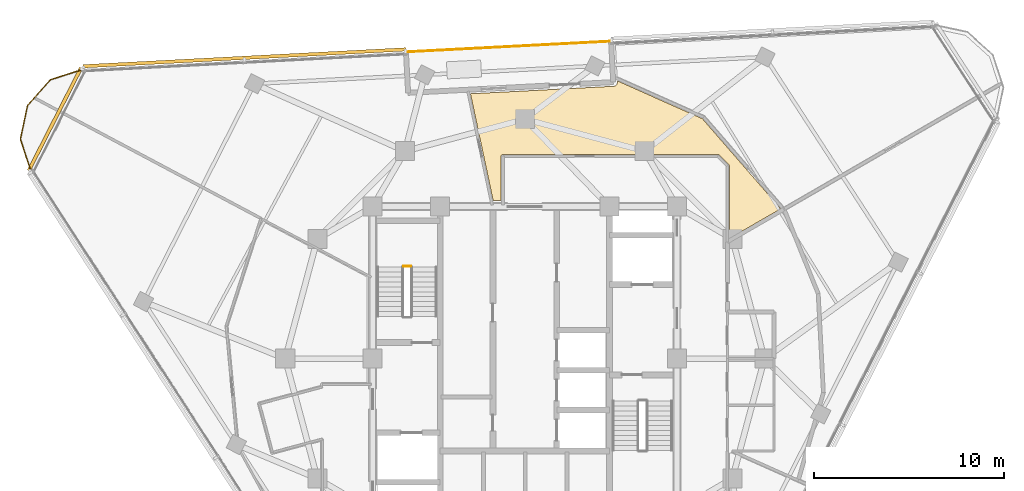
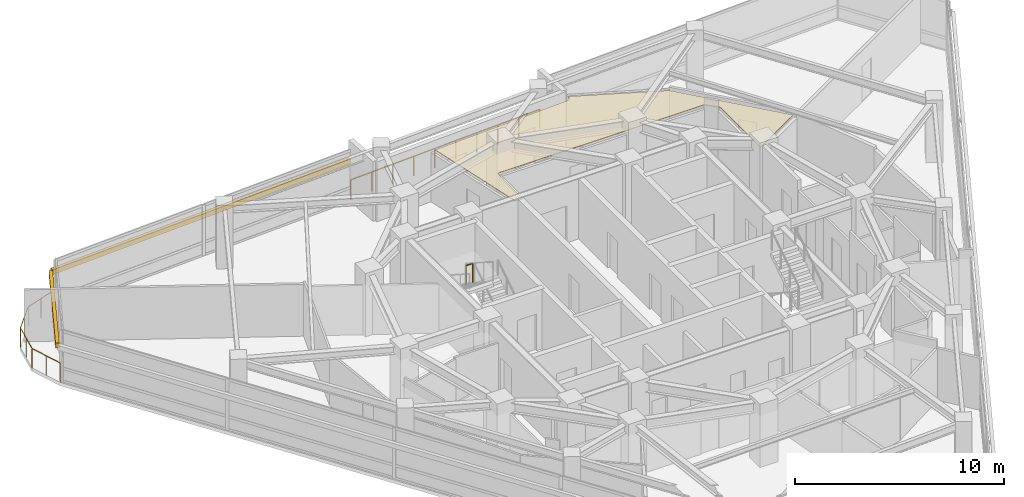
# One storey, part 14 of 15: 3 railings, 2 shading devices, 1 covering.
"""IFC4 building model written with IfcOpenShell, lengths in metres."""

from ifc_helpers import new_model, si_unit, direction, frame, origin, origin_2d, place, context, subcontext, project, spatial, polyline, rectangle, circle, outline, extrude, material, layer, layer_set, type_object, element, save


model = new_model("IFC4")

# Units and contexts
model_context = context("Model", 3, precision=1e-05, world=origin(), true_north=direction((0.0, 1.0)))
body_context = subcontext(model_context, "Body", "Model", "MODEL_VIEW")
ifc_project = project(units=[si_unit("LENGTHUNIT", "METRE"), si_unit("AREAUNIT", "SQUARE_METRE"), si_unit("VOLUMEUNIT", "CUBIC_METRE"), si_unit("PLANEANGLEUNIT", "RADIAN"), si_unit("MASSUNIT", "GRAM", prefix="KILO")], contexts=[model_context])

# Site, building, storey
site_placement = place(None, origin())
site = spatial("IfcSite", under=ifc_project, at=site_placement, CompositionType="ELEMENT")
building_placement = place(site_placement, origin())
building = spatial("IfcBuilding", under=site, at=building_placement, Name="Terralouvre Media Tower", CompositionType="ELEMENT")
storey_placement = place(building_placement, frame((0.0, 0.0, 270.699951171875)))
storey = spatial("IfcBuildingStorey", under=building, at=storey_placement, Name="L70", CompositionType="ELEMENT", Elevation=270.699951171875)

# Covering
ifc_material_1 = material(Name="Perforated aluminium acoustic ceiling baffle", Category="aluminium")
ifc_layer_1 = layer(ifc_material_1, 0.0400390625, Name="Perforated Acoustic Metal Tile Ceiling CL-AC1")
ifc_layer_set_1 = layer_set([ifc_layer_1], Name="Perforated aluminium acoustic ceiling baffle")
covering_type = type_object("IfcCoveringType", Name="Perforated Acoustic Metal Tile Ceiling CL-AC1", PredefinedType="CEILING", material=ifc_layer_set_1)
covering_placement = place(storey_placement, frame((0.0, 0.0, 2.97998046875), z_axis=(0.0, 0.0, 1.0), x_axis=(0.45399049974, 0.891006524188, 0.0)))
element("IfcCovering", 1, at=covering_placement, inside=storey, type_object=covering_type, Name="L70 Acoustic Music Listening Room 9 Acoustic Ceiling", PredefinedType="CEILING", context=body_context, shape_type="SweptSolid", body=[
    extrude(outline(polyline([(6.836669921875, 4.886474609375), (8.921630859375, 5.94873046875), (8.9306640625, 5.952880859375), (8.93994140625, 5.955810546875), (8.949462890625, 5.9580078125), (8.959228515625, 5.95947265625), (8.968994140625, 5.959716796875), (8.97900390625, 5.958984375), (8.988525390625, 5.957275390625), (8.998046875, 5.954833984375), (9.00732421875, 5.951171875), (9.015869140625, 5.947021484375), (9.0244140625, 5.941650390625), (9.031982421875, 5.935791015625), (9.039306640625, 5.928955078125), (9.045654296875, 5.921630859375), (9.05126953125, 5.91357421875), (9.05615234375, 5.905029296875), (14.186279296875, -4.163330078125), (14.1904296875, -4.17236328125), (14.193603515625, -4.181640625), (14.195556640625, -4.191162109375), (14.197021484375, -4.200927734375), (14.197265625, -4.210693359375), (14.196533203125, -4.220458984375), (14.19482421875, -4.230224609375), (14.1923828125, -4.239501953125), (13.973876953125, -4.912109375), (13.97021484375, -4.92138671875), (13.966064453125, -4.929931640625), (13.960693359375, -4.9384765625), (13.954833984375, -4.946044921875), (13.947998046875, -4.953369140625), (13.940673828125, -4.959716796875), (13.9326171875, -4.96533203125), (13.924072265625, -4.97021484375), (10.513427734375, -6.7080078125), (13.1318359375, -8.40869140625), (15.482177734375, -2.590576171875), (15.226318359375, 2.30126953125), (15.17919921875, 2.274169921875), (15.174560546875, 2.271728515625), (15.163818359375, 2.266357421875), (15.15625, 2.2626953125), (15.145263671875, 2.25830078125), (15.135986328125, 2.255126953125), (15.12548828125, 2.251708984375), (15.1171875, 2.249755859375), (15.10888671875, 2.248291015625), (15.09716796875, 2.246826171875), (15.085693359375, 2.245361328125), (15.078125, 2.244873046875), (15.070556640625, 2.244873046875), (15.05810546875, 2.2451171875), (15.04931640625, 2.245849609375), (15.03857421875, 2.2470703125), (15.030029296875, 2.248291015625), (15.017333984375, 2.2509765625), (15.006591796875, 2.25390625), (14.995849609375, 2.25732421875), (14.984375, 2.261962890625), (14.97412109375, 2.266845703125), (14.969482421875, 2.26904296875), (14.958740234375, 2.27490234375), (14.95263671875, 2.2783203125), (14.94287109375, 2.284423828125), (14.934814453125, 2.289794921875), (14.927734375, 2.296142578125), (14.910400390625, 2.31201171875), (14.904052734375, 2.318603515625), (14.8984375, 2.32568359375), (14.89111328125, 2.335693359375), (14.886474609375, 2.34228515625), (14.880126953125, 2.3525390625), (14.87841796875, 2.355224609375), (11.115966796875, 8.872314453125), (6.64892578125, 5.25537109375), (6.836669921875, 4.886474609375)])), origin(), (0.0, 0.0, 1.0), 0.0400390625),
])

# Railings
ifc_material_2 = material(Name="Stainless steel 316 handrail and balustrade", Category="steel")
ifc_layer_2 = layer(ifc_material_2, 0.06005859375, Name="Roof Edge Safety Guardrail GR-ROOF1")
ifc_layer_set_2 = layer_set([ifc_layer_2], Name="Stainless steel 316 handrail and balustrade")
railing_type_1 = type_object("IfcRailingType", Name="Roof Edge Safety Guardrail GR-ROOF1", PredefinedType="GUARDRAIL", material=ifc_layer_set_2)
railing_1_placement = place(storey_placement, frame((4.532470703125, 16.692626953125, 0.0)))
element("IfcRailing", 2, at=railing_1_placement, inside=storey, type_object=railing_type_1, Name="L70 SG Outer Edge Glass Balustrade", PredefinedType="GUARDRAIL", context=body_context, shape_type="SweptSolid", body=[
    extrude(circle(Radius=0.02392578125, at=origin_2d()), frame((0.0, 0.0, 1.1259765625), z_axis=(-0.99862973094, -0.052332212675, 0.0), x_axis=(0.052332212675, -0.99862973094, 0.0)), (0.0, 0.0, 1.0), 10.800048828125),
    extrude(circle(Radius=0.02099609375, at=origin_2d()), origin(), (0.0, 0.0, 1.0), 1.101806640625),
    extrude(circle(Radius=0.02099609375, at=origin_2d()), frame((-1.1982421875, -0.062744140625, 0.0)), (0.0, 0.0, 1.0), 1.101806640625),
    extrude(circle(Radius=0.02099609375, at=origin_2d()), frame((-2.396728515625, -0.12548828125, 0.0)), (0.0, 0.0, 1.0), 1.101806640625),
    extrude(circle(Radius=0.02099609375, at=origin_2d()), frame((-3.594970703125, -0.1884765625, 0.0)), (0.0, 0.0, 1.0), 1.101806640625),
    extrude(circle(Radius=0.02099609375, at=origin_2d()), frame((-4.79345703125, -0.251220703125, 0.0)), (0.0, 0.0, 1.0), 1.101806640625),
    extrude(circle(Radius=0.02099609375, at=origin_2d()), frame((-5.99169921875, -0.31396484375, 0.0)), (0.0, 0.0, 1.0), 1.101806640625),
    extrude(circle(Radius=0.02099609375, at=origin_2d()), frame((-7.190185546875, -0.376708984375, 0.0)), (0.0, 0.0, 1.0), 1.101806640625),
    extrude(circle(Radius=0.02099609375, at=origin_2d()), frame((-8.388427734375, -0.439697265625, 0.0)), (0.0, 0.0, 1.0), 1.101806640625),
    extrude(circle(Radius=0.02099609375, at=origin_2d()), frame((-9.5869140625, -0.50244140625, 0.0)), (0.0, 0.0, 1.0), 1.101806640625),
    extrude(circle(Radius=0.02099609375, at=origin_2d()), frame((-10.78515625, -0.565185546875, 0.0)), (0.0, 0.0, 1.0), 1.101806640625),
])
railing_2_placement = place(storey_placement, frame((-23.216796875, 15.2294921875, 0.0)))
element("IfcRailing", 3, at=railing_2_placement, inside=storey, type_object=railing_type_1, Name="L70 Wind-Corner Perimeter Safety Guardrail C2", PredefinedType="GUARDRAIL", context=body_context, shape_type="SweptSolid", body=[
    extrude(circle(Radius=0.02099609375, at=origin_2d()), frame((0.0, 0.0, 1.12890625), z_axis=(-0.951160789169, -0.308695891043, 0.0), x_axis=(0.308695891043, -0.951160789169, 0.0)), (0.0, 0.0, 1.0), 1.81103515625),
    extrude(circle(Radius=0.02099609375, at=origin_2d()), frame((-1.72265625, -0.55908203125, 1.12890625), z_axis=(-0.66920303756, -0.743079601739, 0.0), x_axis=(0.743079601739, -0.66920303756, 0.0)), (0.0, 0.0, 1.0), 1.81103515625),
    extrude(circle(Radius=0.02099609375, at=origin_2d()), frame((-2.9345703125, -1.90478515625, 1.12890625), z_axis=(-0.207770065545, -0.978177693399, 0.0), x_axis=(0.978177693399, -0.207770065545, 0.0)), (0.0, 0.0, 1.0), 1.810791015625),
    extrude(circle(Radius=0.02099609375, at=origin_2d()), frame((-3.310791015625, -3.676025390625, 1.12890625), z_axis=(0.309223227826, -0.950989482262, 0.0), x_axis=(0.950989482262, 0.309223227826, 0.0)), (0.0, 0.0, 1.0), 1.811279296875),
    extrude(circle(Radius=0.01904296875, at=origin_2d()), origin(), (0.0, 0.0, 1.0), 1.10791015625),
    extrude(circle(Radius=0.01904296875, at=origin_2d()), frame((-0.861328125, -0.279541015625, 0.0)), (0.0, 0.0, 1.0), 1.10791015625),
    extrude(circle(Radius=0.01904296875, at=origin_2d()), frame((-1.72265625, -0.55908203125, 0.0)), (0.0, 0.0, 1.0), 1.10791015625),
    extrude(circle(Radius=0.01904296875, at=origin_2d()), frame((-2.32861328125, -1.23193359375, 0.0)), (0.0, 0.0, 1.0), 1.10791015625),
    extrude(circle(Radius=0.01904296875, at=origin_2d()), frame((-2.9345703125, -1.90478515625, 0.0)), (0.0, 0.0, 1.0), 1.10791015625),
    extrude(circle(Radius=0.01904296875, at=origin_2d()), frame((-3.12255859375, -2.79052734375, 0.0)), (0.0, 0.0, 1.0), 1.10791015625),
    extrude(circle(Radius=0.01904296875, at=origin_2d()), frame((-3.310791015625, -3.676025390625, 0.0)), (0.0, 0.0, 1.0), 1.10791015625),
    extrude(circle(Radius=0.01904296875, at=origin_2d()), frame((-3.03076171875, -4.537109375, 0.0)), (0.0, 0.0, 1.0), 1.10791015625),
    extrude(circle(Radius=0.01904296875, at=origin_2d()), frame((-2.750732421875, -5.3984375, 0.0)), (0.0, 0.0, 1.0), 1.10791015625),
])
ifc_material_3 = material(Name="Stainless steel 316 handrail and balustrade", Category="steel")
ifc_layer_3 = layer(ifc_material_3, 0.050048828125, Name="Stairwell Safety Guardrail GR-INT1")
ifc_layer_set_3 = layer_set([ifc_layer_3], Name="Stainless steel 316 handrail and balustrade")
railing_type_2 = type_object("IfcRailingType", Name="Stairwell Safety Guardrail GR-INT1", PredefinedType="GUARDRAIL", material=ifc_layer_set_3)
railing_3_placement = place(storey_placement, frame((-6.0, 4.8701171875, 1.85009765625)))
element("IfcRailing", 4, at=railing_3_placement, inside=storey, type_object=railing_type_2, Name="L70 ST-01 stair guard 2", PredefinedType="GUARDRAIL", context=body_context, shape_type="SweptSolid", body=[
    extrude(circle(Radius=0.02392578125, at=origin_2d()), frame((0.0, 0.0, 1.1259765625), z_axis=(-1.0, 0.0, 0.0), x_axis=(0.0, -1.0, 0.0)), (0.0, 0.0, 1.0), 0.3798828125),
    extrude(circle(Radius=0.02099609375, at=origin_2d()), origin(), (0.0, 0.0, 1.0), 1.101806640625),
    extrude(circle(Radius=0.02099609375, at=origin_2d()), frame((-0.3798828125, 0.0, 0.0)), (0.0, 0.0, 1.0), 1.101806640625),
])

# Shading devices
ifc_material_4 = material(Name="Extruded terracotta baguette sunshade louvres", Category="masonry")
shading_device_type = type_object("IfcShadingDeviceType", Name="Terracotta Baguette Sunshade Louvre Screen TB-LV1", PredefinedType="USERDEFINED", material=ifc_material_4)
shading_device_1_placement = place(storey_placement, frame((-14.748291015625, 15.822509765625, 2.02392578125), z_axis=(0.0, 0.0, 1.0), x_axis=(-0.998629536668, -0.052335919728, 0.0)))
element("IfcShadingDevice", 5, at=shading_device_1_placement, inside=storey, type_object=shading_device_type, Name="CW-L70-F1R Terracotta Baguette Sunshade Louvre", ObjectType="BAGUETTE", PredefinedType="USERDEFINED", context=body_context, shape_type="SweptSolid", body=[
    extrude(rectangle(XDim=17.0, YDim=0.179931640625, at=origin_2d()), origin(), (0.0, 0.0, 1.0), 0.280029296875),
])
shading_device_2_placement = place(storey_placement, frame((-24.71240234375, 12.591552734375, 2.02392578125), z_axis=(0.0, 0.0, 1.0), x_axis=(-0.453990349937, -0.891006600517, 0.0)))
element("IfcShadingDevice", 6, at=shading_device_2_placement, inside=storey, type_object=shading_device_type, Name="CW-L70-C2 Terracotta Baguette Sunshade Louvre", ObjectType="BAGUETTE", PredefinedType="USERDEFINED", context=body_context, shape_type="SweptSolid", body=[
    extrude(rectangle(XDim=6.062255859375, YDim=0.179931640625, at=origin_2d()), origin(), (0.0, 0.0, 1.0), 0.280029296875),
])

save(model, "model.ifc")
